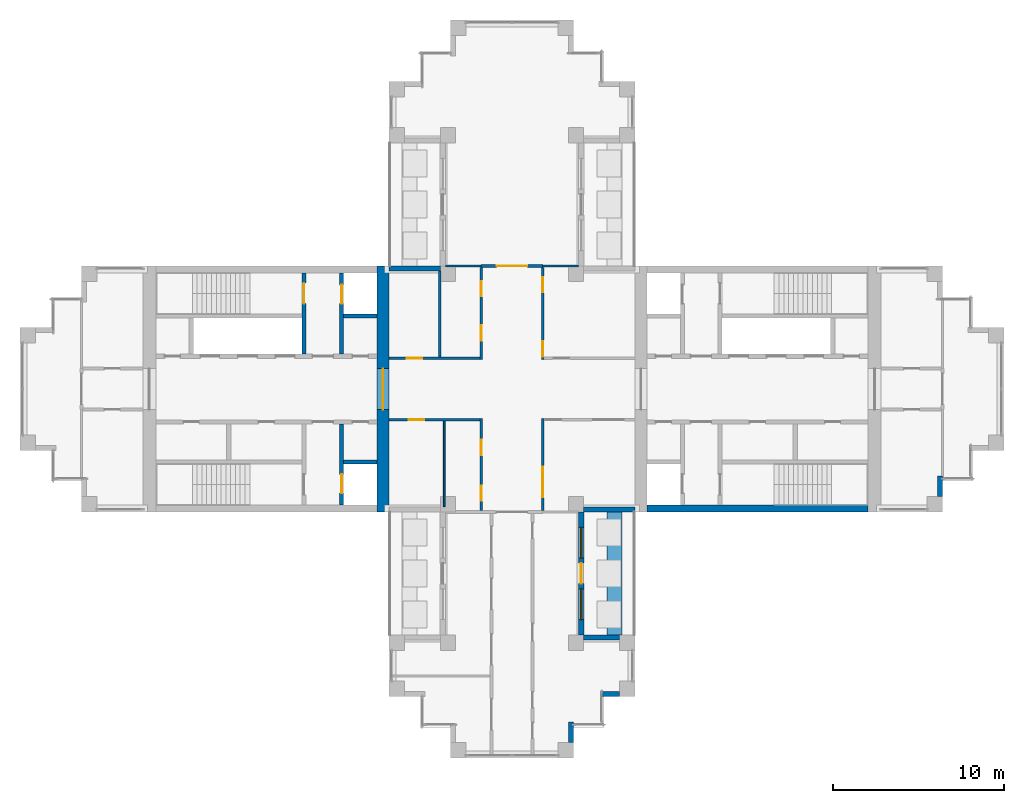
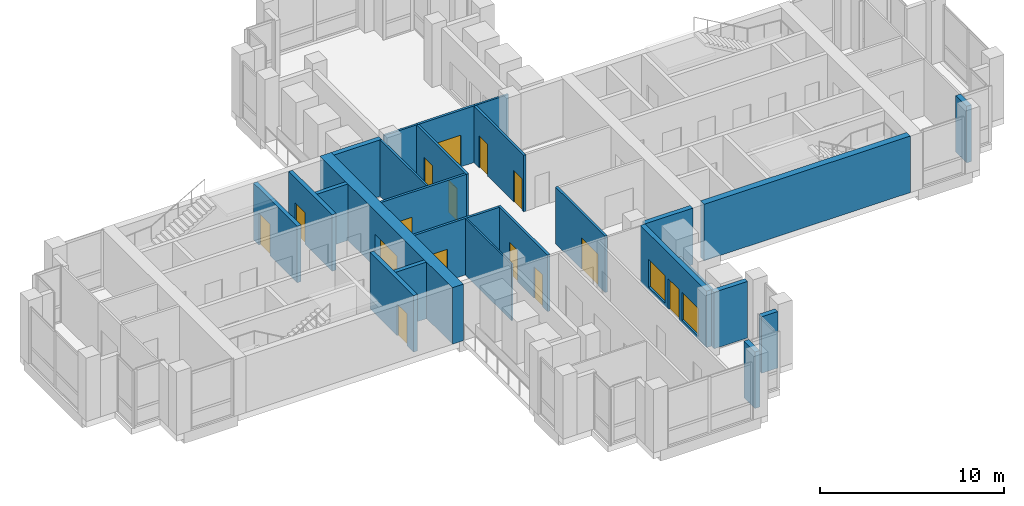
# One storey, part 9 of 13: 26 walls, 15 doors, 2 windows, 17 openings.
"""IFC4 building model written with IfcOpenShell, lengths in metres."""

from ifc_helpers import new_model, si_unit, direction, frame, frame_2d, origin, place, context, subcontext, project, spatial, rectangle, extrude, material, layer, layer_set, type_object, element, fill, save


model = new_model("IFC4")

# Units and contexts
model_context = context("Model", 3, precision=1e-05, world=origin(), true_north=direction((0.0, 1.0)))
body_context = subcontext(model_context, "Body", "Model", "MODEL_VIEW")
ifc_project = project(units=[si_unit("LENGTHUNIT", "METRE"), si_unit("AREAUNIT", "SQUARE_METRE"), si_unit("VOLUMEUNIT", "CUBIC_METRE"), si_unit("PLANEANGLEUNIT", "RADIAN"), si_unit("MASSUNIT", "GRAM", prefix="KILO")], contexts=[model_context])

# Site, building, storey
site_placement = place(None, origin())
site = spatial("IfcSite", under=ifc_project, at=site_placement, CompositionType="ELEMENT")
building_placement = place(site_placement, origin())
building = spatial("IfcBuilding", under=site, at=building_placement, Name="Fustian Cross Tower", CompositionType="ELEMENT")
storey_placement = place(building_placement, frame((0.0, 0.0, 237.89990234375)))
storey = spatial("IfcBuildingStorey", under=building, at=storey_placement, Name="L75", CompositionType="ELEMENT", Elevation=237.89990234375)

# Wall, opening, door
ifc_material_1 = material(Name="Plasterboard on steel stud", Category="steel")
ifc_layer_1 = layer(ifc_material_1, 0.14990234375)
ifc_layer_set_1 = layer_set([ifc_layer_1], Name="Plasterboard on steel stud")
wall_type_1 = type_object("IfcWallType", Name="COMPARTMENT WALL 150 EI 60", PredefinedType="PARTITIONING", material=ifc_layer_set_1)
wall_1_placement = place(storey_placement, frame((-7.199951171875, -1.800048828125, 0.0), z_axis=(0.0, 0.0, 1.0), x_axis=(1.0, 0.0, 0.0)))
wall_1 = element("IfcWall", 1, at=wall_1_placement, inside=storey, type_object=wall_type_1, Name="Partition 6", PredefinedType="PARTITIONING", context=body_context, shape_type="SweptSolid", body=[
    extrude(rectangle(XDim=5.324951171875, YDim=0.14990234375, at=frame_2d((2.66259765625, 0.0))), origin(), (0.0, 0.0, 1.0), 3.75),
])
opening_1_placement = place(wall_1_placement, frame((1.169921875, 0.0, 0.0)))
opening_1 = element("IfcOpeningElement", 2, at=opening_1_placement, cuts=wall_1, Name="Opening D34009", PredefinedType="OPENING", context=body_context, shape_type="SweptSolid", body=[
    extrude(rectangle(XDim=0.89990234375, YDim=2.10009765625, at=frame_2d((0.449951171875, 1.050048828125))), frame((0.0, 0.0849609375, 0.0), z_axis=(0.0, -1.0, 0.0), x_axis=(1.0, 0.0, 0.0)), (0.0, 0.0, 1.0), 0.169921875),
])
ifc_material_2 = material(Name="Timber fire door set", Category="wood")
door_type_1 = type_object("IfcDoorType", Name="FIRE SWING DOOR 900 FD30S", OperationType="SINGLE_SWING_LEFT", PredefinedType="DOOR", material=ifc_material_2)
door_1_placement = place(opening_1_placement, frame((0.89990234375, 0.0, 0.0), z_axis=(0.0, 0.0, 1.0), x_axis=(-1.0, 0.0, 0.0)))
door_1 = element("IfcDoor", 3, at=door_1_placement, inside=storey, type_object=door_type_1, Name="Door D34009", OperationType="SINGLE_SWING_RIGHT", OverallHeight=2.10009765625, OverallWidth=0.89990234375, PredefinedType="DOOR", context=body_context, shape_type="SweptSolid", body=[
    extrude(rectangle(XDim=0.89990234375, YDim=2.10009765625, at=frame_2d((0.449951171875, 1.050048828125))), frame((0.0, 0.02490234375, 0.0), z_axis=(0.0, -1.0, 0.0), x_axis=(1.0, 0.0, 0.0)), (0.0, 0.0, 1.0), 0.050048828125),
])
fill(opening_1, door_1)

wall_2_placement = place(storey_placement, frame((-7.199951171875, 1.800048828125, 0.0), z_axis=(0.0, 0.0, 1.0), x_axis=(1.0, 0.0, 0.0)))
wall_2 = element("IfcWall", 4, at=wall_2_placement, inside=storey, type_object=wall_type_1, Name="Partition 7", PredefinedType="PARTITIONING", context=body_context, shape_type="SweptSolid", body=[
    extrude(rectangle(XDim=5.324951171875, YDim=0.14990234375, at=frame_2d((2.66259765625, 0.0))), origin(), (0.0, 0.0, 1.0), 3.75),
])
opening_2_placement = place(wall_2_placement, frame((1.034912109375, 0.0, 0.0)))
opening_2 = element("IfcOpeningElement", 5, at=opening_2_placement, cuts=wall_2, Name="Opening D34006", PredefinedType="OPENING", context=body_context, shape_type="SweptSolid", body=[
    extrude(rectangle(XDim=0.89990234375, YDim=2.10009765625, at=frame_2d((0.449951171875, 1.050048828125))), frame((0.0, 0.0849609375, 0.0), z_axis=(0.0, -1.0, 0.0), x_axis=(1.0, 0.0, 0.0)), (0.0, 0.0, 1.0), 0.169921875),
])
door_2_placement = place(opening_2_placement, origin())
door_2 = element("IfcDoor", 6, at=door_2_placement, inside=storey, type_object=door_type_1, Name="Door D34006", OperationType="SINGLE_SWING_RIGHT", OverallHeight=2.10009765625, OverallWidth=0.89990234375, PredefinedType="DOOR", context=body_context, shape_type="SweptSolid", body=[
    extrude(rectangle(XDim=0.89990234375, YDim=2.10009765625, at=frame_2d((0.449951171875, 1.050048828125))), frame((0.0, 0.02490234375, 0.0), z_axis=(0.0, -1.0, 0.0), x_axis=(1.0, 0.0, 0.0)), (0.0, 0.0, 1.0), 0.050048828125),
])
fill(opening_2, door_2)

# Wall, openings, doors
wall_3_placement = place(storey_placement, frame((-1.800048828125, -7.125, 0.0), z_axis=(0.0, 0.0, 1.0), x_axis=(0.0, 1.0, 0.0)))
wall_3 = element("IfcWall", 7, at=wall_3_placement, inside=storey, type_object=wall_type_1, Name="Partition 13", PredefinedType="PARTITIONING", context=body_context, shape_type="SweptSolid", body=[
    extrude(rectangle(XDim=5.39990234375, YDim=0.14990234375, at=frame_2d((2.699951171875, 0.0))), origin(), (0.0, 0.0, 1.0), 3.75),
])
opening_3_placement = place(wall_3_placement, frame((0.574951171875, 0.0, 0.0)))
opening_3 = element("IfcOpeningElement", 8, at=opening_3_placement, cuts=wall_3, Name="Opening D34007", PredefinedType="OPENING", context=body_context, shape_type="SweptSolid", body=[
    extrude(rectangle(XDim=0.89990234375, YDim=2.10009765625, at=frame_2d((0.449951171875, 1.050048828125))), frame((0.0, 0.0849609375, 0.0), z_axis=(0.0, -1.0, 0.0), x_axis=(1.0, 0.0, 0.0)), (0.0, 0.0, 1.0), 0.169921875),
])
opening_4_placement = place(wall_3_placement, frame((3.2548828125, 0.0, 0.0)))
opening_4 = element("IfcOpeningElement", 9, at=opening_4_placement, cuts=wall_3, Name="Opening D34008", PredefinedType="OPENING", context=body_context, shape_type="SweptSolid", body=[
    extrude(rectangle(XDim=0.89990234375, YDim=2.10009765625, at=frame_2d((0.449951171875, 1.050048828125))), frame((0.0, 0.0849609375, 0.0), z_axis=(0.0, -1.0, 0.0), x_axis=(1.0, 0.0, 0.0)), (0.0, 0.0, 1.0), 0.169921875),
])
door_3_placement = place(opening_3_placement, origin())
door_3 = element("IfcDoor", 10, at=door_3_placement, inside=storey, type_object=door_type_1, Name="Door D34007", OperationType="SINGLE_SWING_LEFT", OverallHeight=2.10009765625, OverallWidth=0.89990234375, PredefinedType="DOOR", context=body_context, shape_type="SweptSolid", body=[
    extrude(rectangle(XDim=0.89990234375, YDim=2.10009765625, at=frame_2d((0.449951171875, 1.050048828125))), frame((0.0, 0.02490234375, 0.0), z_axis=(0.0, -1.0, 0.0), x_axis=(1.0, 0.0, 0.0)), (0.0, 0.0, 1.0), 0.050048828125),
])
fill(opening_3, door_3)
door_4_placement = place(opening_4_placement, origin())
door_4 = element("IfcDoor", 11, at=door_4_placement, inside=storey, type_object=door_type_1, Name="Door D34008", OperationType="SINGLE_SWING_RIGHT", OverallHeight=2.10009765625, OverallWidth=0.89990234375, PredefinedType="DOOR", context=body_context, shape_type="SweptSolid", body=[
    extrude(rectangle(XDim=0.89990234375, YDim=2.10009765625, at=frame_2d((0.449951171875, 1.050048828125))), frame((0.0, 0.02490234375, 0.0), z_axis=(0.0, -1.0, 0.0), x_axis=(1.0, 0.0, 0.0)), (0.0, 0.0, 1.0), 0.050048828125),
])
fill(opening_4, door_4)

wall_4_placement = place(storey_placement, frame((-1.800048828125, 1.72509765625, 0.0), z_axis=(0.0, 0.0, 1.0), x_axis=(0.0, 1.0, 0.0)))
wall_4 = element("IfcWall", 12, at=wall_4_placement, inside=storey, type_object=wall_type_1, Name="Partition 14", PredefinedType="PARTITIONING", context=body_context, shape_type="SweptSolid", body=[
    extrude(rectangle(XDim=5.39990234375, YDim=0.14990234375, at=frame_2d((2.699951171875, 0.0))), origin(), (0.0, 0.0, 1.0), 3.75),
])
opening_5_placement = place(wall_4_placement, frame((1.110107421875, 0.0, 0.0)))
opening_5 = element("IfcOpeningElement", 13, at=opening_5_placement, cuts=wall_4, Name="Opening D34004", PredefinedType="OPENING", context=body_context, shape_type="SweptSolid", body=[
    extrude(rectangle(XDim=0.89990234375, YDim=2.10009765625, at=frame_2d((0.449951171875, 1.050048828125))), frame((0.0, 0.0849609375, 0.0), z_axis=(0.0, -1.0, 0.0), x_axis=(1.0, 0.0, 0.0)), (0.0, 0.0, 1.0), 0.169921875),
])
opening_6_placement = place(wall_4_placement, frame((3.695068359375, 0.0, 0.0)))
opening_6 = element("IfcOpeningElement", 14, at=opening_6_placement, cuts=wall_4, Name="Opening D34005", PredefinedType="OPENING", context=body_context, shape_type="SweptSolid", body=[
    extrude(rectangle(XDim=0.89990234375, YDim=2.10009765625, at=frame_2d((0.449951171875, 1.050048828125))), frame((0.0, 0.0849609375, 0.0), z_axis=(0.0, -1.0, 0.0), x_axis=(1.0, 0.0, 0.0)), (0.0, 0.0, 1.0), 0.169921875),
])
door_5_placement = place(opening_5_placement, origin())
door_5 = element("IfcDoor", 15, at=door_5_placement, inside=storey, type_object=door_type_1, Name="Door D34004", OperationType="SINGLE_SWING_LEFT", OverallHeight=2.10009765625, OverallWidth=0.89990234375, PredefinedType="DOOR", context=body_context, shape_type="SweptSolid", body=[
    extrude(rectangle(XDim=0.89990234375, YDim=2.10009765625, at=frame_2d((0.449951171875, 1.050048828125))), frame((0.0, 0.02490234375, 0.0), z_axis=(0.0, -1.0, 0.0), x_axis=(1.0, 0.0, 0.0)), (0.0, 0.0, 1.0), 0.050048828125),
])
fill(opening_5, door_5)
door_6_placement = place(opening_6_placement, origin())
door_6 = element("IfcDoor", 16, at=door_6_placement, inside=storey, type_object=door_type_1, Name="Door D34005", OperationType="SINGLE_SWING_RIGHT", OverallHeight=2.10009765625, OverallWidth=0.89990234375, PredefinedType="DOOR", context=body_context, shape_type="SweptSolid", body=[
    extrude(rectangle(XDim=0.89990234375, YDim=2.10009765625, at=frame_2d((0.449951171875, 1.050048828125))), frame((0.0, 0.02490234375, 0.0), z_axis=(0.0, -1.0, 0.0), x_axis=(1.0, 0.0, 0.0)), (0.0, 0.0, 1.0), 0.050048828125),
])
fill(opening_6, door_6)

# Wall, opening, door
wall_5_placement = place(storey_placement, frame((-1.800048828125, 7.199951171875, 0.0), z_axis=(0.0, 0.0, 1.0), x_axis=(1.0, 0.0, 0.0)))
wall_5 = element("IfcWall", 17, at=wall_5_placement, inside=storey, type_object=wall_type_1, Name="Partition 15", PredefinedType="PARTITIONING", context=body_context, shape_type="SweptSolid", body=[
    extrude(rectangle(XDim=3.60009765625, YDim=0.14990234375, at=frame_2d((1.800048828125, 0.0))), origin(), (0.0, 0.0, 1.0), 3.75),
])
opening_7_placement = place(wall_5_placement, frame((0.89990234375, 0.0, 0.0)))
opening_7 = element("IfcOpeningElement", 18, at=opening_7_placement, cuts=wall_5, Name="Opening D34013", PredefinedType="OPENING", context=body_context, shape_type="SweptSolid", body=[
    extrude(rectangle(XDim=1.800048828125, YDim=2.10009765625, at=frame_2d((0.89990234375, 1.050048828125))), frame((0.0, 0.0849609375, 0.0), z_axis=(0.0, -1.0, 0.0), x_axis=(1.0, 0.0, 0.0)), (0.0, 0.0, 1.0), 0.169921875),
])
ifc_material_3 = material(Name="Timber fire door set", Category="wood")
door_type_2 = type_object("IfcDoorType", Name="FIRE DOUBLE DOOR 1800 FD30S", OperationType="DOUBLE_DOOR_DOUBLE_SWING", PredefinedType="DOOR", material=ifc_material_3)
door_7_placement = place(opening_7_placement, frame((1.800048828125, 0.0, 0.0), z_axis=(0.0, 0.0, 1.0), x_axis=(-1.0, 0.0, 0.0)))
door_7 = element("IfcDoor", 19, at=door_7_placement, inside=storey, type_object=door_type_2, Name="Door D34013", OperationType="DOUBLE_DOOR_DOUBLE_SWING", OverallHeight=2.10009765625, OverallWidth=1.800048828125, PredefinedType="DOOR", context=body_context, shape_type="SweptSolid", body=[
    extrude(rectangle(XDim=1.800048828125, YDim=2.10009765625, at=frame_2d((0.89990234375, 1.050048828125))), frame((0.0, 0.02490234375, 0.0), z_axis=(0.0, -1.0, 0.0), x_axis=(1.0, 0.0, 0.0)), (0.0, 0.0, 1.0), 0.050048828125),
])
fill(opening_7, door_7)

wall_6_placement = place(storey_placement, frame((1.800048828125, -7.125, 0.0), z_axis=(0.0, 0.0, 1.0), x_axis=(0.0, 1.0, 0.0)))
wall_6 = element("IfcWall", 20, at=wall_6_placement, inside=storey, type_object=wall_type_1, Name="Partition 18", PredefinedType="PARTITIONING", context=body_context, shape_type="SweptSolid", body=[
    extrude(rectangle(XDim=5.39990234375, YDim=0.14990234375, at=frame_2d((2.699951171875, 0.0))), origin(), (0.0, 0.0, 1.0), 3.75),
])
opening_8_placement = place(wall_6_placement, frame((0.77490234375, 0.0, 0.0)))
opening_8 = element("IfcOpeningElement", 21, at=opening_8_placement, cuts=wall_6, Name="Opening D34010", PredefinedType="OPENING", context=body_context, shape_type="SweptSolid", body=[
    extrude(rectangle(XDim=1.800048828125, YDim=2.10009765625, at=frame_2d((0.89990234375, 1.050048828125))), frame((0.0, 0.0849609375, 0.0), z_axis=(0.0, -1.0, 0.0), x_axis=(1.0, 0.0, 0.0)), (0.0, 0.0, 1.0), 0.169921875),
])
door_8_placement = place(opening_8_placement, origin())
door_8 = element("IfcDoor", 22, at=door_8_placement, inside=storey, type_object=door_type_2, Name="Door D34010", OperationType="DOUBLE_DOOR_DOUBLE_SWING", OverallHeight=2.10009765625, OverallWidth=1.800048828125, PredefinedType="DOOR", context=body_context, shape_type="SweptSolid", body=[
    extrude(rectangle(XDim=1.800048828125, YDim=2.10009765625, at=frame_2d((0.89990234375, 1.050048828125))), frame((0.0, 0.02490234375, 0.0), z_axis=(0.0, -1.0, 0.0), x_axis=(1.0, 0.0, 0.0)), (0.0, 0.0, 1.0), 0.050048828125),
])
fill(opening_8, door_8)

# Wall, openings, doors
wall_7_placement = place(storey_placement, frame((1.800048828125, 1.72509765625, 0.0), z_axis=(0.0, 0.0, 1.0), x_axis=(0.0, 1.0, 0.0)))
wall_7 = element("IfcWall", 23, at=wall_7_placement, inside=storey, type_object=wall_type_1, Name="Partition 21", PredefinedType="PARTITIONING", context=body_context, shape_type="SweptSolid", body=[
    extrude(rectangle(XDim=5.39990234375, YDim=0.14990234375, at=frame_2d((2.699951171875, 0.0))), origin(), (0.0, 0.0, 1.0), 3.75),
])
opening_9_placement = place(wall_7_placement, frame((0.175048828125, 0.0, 0.0)))
opening_9 = element("IfcOpeningElement", 24, at=opening_9_placement, cuts=wall_7, Name="Opening D34001", PredefinedType="OPENING", context=body_context, shape_type="SweptSolid", body=[
    extrude(rectangle(XDim=0.89990234375, YDim=2.10009765625, at=frame_2d((0.449951171875, 1.050048828125))), frame((0.0, 0.0849609375, 0.0), z_axis=(0.0, -1.0, 0.0), x_axis=(1.0, 0.0, 0.0)), (0.0, 0.0, 1.0), 0.169921875),
])
opening_10_placement = place(wall_7_placement, frame((3.925048828125, 0.0, 0.0)))
opening_10 = element("IfcOpeningElement", 25, at=opening_10_placement, cuts=wall_7, Name="Opening D34002", PredefinedType="OPENING", context=body_context, shape_type="SweptSolid", body=[
    extrude(rectangle(XDim=0.89990234375, YDim=2.10009765625, at=frame_2d((0.449951171875, 1.050048828125))), frame((0.0, 0.0849609375, 0.0), z_axis=(0.0, -1.0, 0.0), x_axis=(1.0, 0.0, 0.0)), (0.0, 0.0, 1.0), 0.169921875),
])
door_9_placement = place(opening_9_placement, frame((0.89990234375, 0.0, 0.0), z_axis=(0.0, 0.0, 1.0), x_axis=(-1.0, 0.0, 0.0)))
door_9 = element("IfcDoor", 26, at=door_9_placement, inside=storey, type_object=door_type_1, Name="Door D34001", OperationType="SINGLE_SWING_RIGHT", OverallHeight=2.10009765625, OverallWidth=0.89990234375, PredefinedType="DOOR", context=body_context, shape_type="SweptSolid", body=[
    extrude(rectangle(XDim=0.89990234375, YDim=2.10009765625, at=frame_2d((0.449951171875, 1.050048828125))), frame((0.0, 0.02490234375, 0.0), z_axis=(0.0, -1.0, 0.0), x_axis=(1.0, 0.0, 0.0)), (0.0, 0.0, 1.0), 0.050048828125),
])
fill(opening_9, door_9)
door_10_placement = place(opening_10_placement, frame((0.89990234375, 0.0, 0.0), z_axis=(0.0, 0.0, 1.0), x_axis=(-1.0, 0.0, 0.0)))
door_10 = element("IfcDoor", 27, at=door_10_placement, inside=storey, type_object=door_type_1, Name="Door D34002", OperationType="SINGLE_SWING_LEFT", OverallHeight=2.10009765625, OverallWidth=0.89990234375, PredefinedType="DOOR", context=body_context, shape_type="SweptSolid", body=[
    extrude(rectangle(XDim=0.89990234375, YDim=2.10009765625, at=frame_2d((0.449951171875, 1.050048828125))), frame((0.0, 0.02490234375, 0.0), z_axis=(0.0, -1.0, 0.0), x_axis=(1.0, 0.0, 0.0)), (0.0, 0.0, 1.0), 0.050048828125),
])
fill(opening_10, door_10)

# Wall, opening, door
ifc_material_4 = material(Name="Concrete C50/60", Category="concrete")
ifc_layer_2 = layer(ifc_material_4, 0.699951171875)
ifc_layer_set_2 = layer_set([ifc_layer_2], Name="Concrete C50/60")
wall_type_2 = type_object("IfcWallType", Name="CORE END WALL 700 C50/60", PredefinedType="SHEAR", material=ifc_layer_set_2)
wall_8_placement = place(storey_placement, frame((-7.550048828125, -7.199951171875, 0.0), z_axis=(0.0, 0.0, 1.0), x_axis=(0.0, 1.0, 0.0)))
wall_8 = element("IfcWall", 28, at=wall_8_placement, inside=storey, type_object=wall_type_2, Name="Core end wall", PredefinedType="SHEAR", context=body_context, shape_type="SweptSolid", body=[
    extrude(rectangle(XDim=14.39990234375, YDim=0.699951171875, at=frame_2d((7.199951171875, 0.0))), origin(), (0.0, 0.0, 1.0), 3.75),
])
opening_11_placement = place(wall_8_placement, frame((6.0, 0.0, 0.0)))
opening_11 = element("IfcOpeningElement", 29, at=opening_11_placement, cuts=wall_8, Name="Opening CD-30-28", PredefinedType="OPENING", context=body_context, shape_type="SweptSolid", body=[
    extrude(rectangle(XDim=2.39990234375, YDim=2.199951171875, at=frame_2d((1.199951171875, 1.10009765625))), frame((0.0, 0.35986328125, 0.0), z_axis=(0.0, -1.0, 0.0), x_axis=(1.0, 0.0, 0.0)), (0.0, 0.0, 1.0), 0.719970703125),
])
ifc_material_5 = material(Name="Steel", Category="steel")
door_type_3 = type_object("IfcDoorType", Name="FIRE DOOR FD30S DOUBLE 2400X2200", OperationType="DOUBLE_DOOR_DOUBLE_SWING", PredefinedType="DOOR", material=ifc_material_5)
door_11_placement = place(opening_11_placement, origin())
door_11 = element("IfcDoor", 30, at=door_11_placement, inside=storey, type_object=door_type_3, Name="Core door CD-30-28", OperationType="DOUBLE_DOOR_DOUBLE_SWING", OverallHeight=2.199951171875, OverallWidth=2.39990234375, PredefinedType="DOOR", context=body_context, shape_type="SweptSolid", body=[
    extrude(rectangle(XDim=2.39990234375, YDim=2.199951171875, at=frame_2d((1.199951171875, 1.10009765625))), frame((0.0, 0.02490234375, 0.0), z_axis=(0.0, -1.0, 0.0), x_axis=(1.0, 0.0, 0.0)), (0.0, 0.0, 1.0), 0.050048828125),
])
fill(opening_11, door_11)

# Walls
ifc_material_6 = material(Name="Concrete C50/60", Category="concrete")
ifc_layer_3 = layer(ifc_material_6, 0.39990234375)
ifc_layer_set_3 = layer_set([ifc_layer_3], Name="Concrete C50/60")
wall_type_3 = type_object("IfcWallType", Name="CORE FACADE WALL 400 C50/60", PredefinedType="SHEAR", material=ifc_layer_set_3)
wall_9_placement = place(storey_placement, frame((7.89990234375, -7.0, 0.0), z_axis=(0.0, 0.0, 1.0), x_axis=(1.0, 0.0, 0.0)))
element("IfcWall", 31, at=wall_9_placement, inside=storey, type_object=wall_type_3, Name="Core facade wall", PredefinedType="SHEAR", context=body_context, shape_type="SweptSolid", body=[
    extrude(rectangle(XDim=12.9501953125, YDim=0.39990234375, at=frame_2d((6.47509765625, 0.0))), origin(), (0.0, 0.0, 1.0), 3.75),
])
ifc_material_7 = material(Name="Concrete C50/60", Category="concrete")
ifc_layer_4 = layer(ifc_material_7, 0.25)
ifc_layer_set_4 = layer_set([ifc_layer_4], Name="Concrete C50/60")
wall_type_4 = type_object("IfcWallType", Name="CORE SHAFT WALL 250 C50/60", PredefinedType="SHEAR", material=ifc_layer_set_4)
wall_10_placement = place(storey_placement, frame((-7.89990234375, 4.27490234375, 0.0), z_axis=(0.0, 0.0, 1.0), x_axis=(-1.0, 0.0, 0.0)))
element("IfcWall", 32, at=wall_10_placement, inside=storey, type_object=wall_type_4, Name="Core shaft wall", PredefinedType="SHEAR", context=body_context, shape_type="SweptSolid", body=[
    extrude(rectangle(XDim=1.9501953125, YDim=0.25, at=frame_2d((0.97509765625, 0.0))), origin(), (0.0, 0.0, 1.0), 3.75),
])

# Wall, opening, door
wall_11_placement = place(storey_placement, frame((-9.97509765625, 2.050048828125, 0.0), z_axis=(0.0, 0.0, 1.0), x_axis=(0.0, 1.0, 0.0)))
wall_11 = element("IfcWall", 33, at=wall_11_placement, inside=storey, type_object=wall_type_4, Name="Core shaft wall", PredefinedType="SHEAR", context=body_context, shape_type="SweptSolid", body=[
    extrude(rectangle(XDim=4.75, YDim=0.25, at=frame_2d((2.375, 0.0))), origin(), (0.0, 0.0, 1.0), 3.75),
])
opening_12_placement = place(wall_11_placement, frame((2.949951171875, 0.0, 0.0)))
opening_12 = element("IfcOpeningElement", 34, at=opening_12_placement, cuts=wall_11, Name="Opening LD", PredefinedType="OPENING", context=body_context, shape_type="SweptSolid", body=[
    extrude(rectangle(XDim=1.10009765625, YDim=2.10009765625, at=frame_2d((0.550048828125, 1.050048828125))), frame((0.0, 0.135009765625, 0.0), z_axis=(0.0, -1.0, 0.0), x_axis=(1.0, 0.0, 0.0)), (0.0, 0.0, 1.0), 0.27001953125),
])
ifc_material_8 = material(Name="Stainless steel", Category="steel")
door_type_4 = type_object("IfcDoorType", Name="LIFT LANDING DOOR 1100X2100", OperationType="SLIDING_TO_LEFT", PredefinedType="DOOR", material=ifc_material_8)
door_12_placement = place(opening_12_placement, origin())
door_12 = element("IfcDoor", 35, at=door_12_placement, inside=storey, type_object=door_type_4, Name="Landing door FL1W", OperationType="SLIDING_TO_LEFT", OverallHeight=2.10009765625, OverallWidth=1.10009765625, PredefinedType="DOOR", context=body_context, shape_type="SweptSolid", body=[
    extrude(rectangle(XDim=1.10009765625, YDim=2.10009765625, at=frame_2d((0.550048828125, 1.050048828125))), frame((0.0, 0.02490234375, 0.0), z_axis=(0.0, -1.0, 0.0), x_axis=(1.0, 0.0, 0.0)), (0.0, 0.0, 1.0), 0.050048828125),
])
fill(opening_12, door_12)

wall_12_placement = place(storey_placement, frame((-12.175048828125, 2.050048828125, 0.0), z_axis=(0.0, 0.0, 1.0), x_axis=(0.0, 1.0, 0.0)))
wall_12 = element("IfcWall", 36, at=wall_12_placement, inside=storey, type_object=wall_type_4, Name="Core shaft wall", PredefinedType="SHEAR", context=body_context, shape_type="SweptSolid", body=[
    extrude(rectangle(XDim=4.75, YDim=0.25, at=frame_2d((2.375, 0.0))), origin(), (0.0, 0.0, 1.0), 3.75),
])
opening_13_placement = place(wall_12_placement, frame((2.949951171875, 0.0, 0.0)))
opening_13 = element("IfcOpeningElement", 37, at=opening_13_placement, cuts=wall_12, Name="Opening CD-30-22", PredefinedType="OPENING", context=body_context, shape_type="SweptSolid", body=[
    extrude(rectangle(XDim=1.199951171875, YDim=2.10009765625, at=frame_2d((0.60009765625, 1.050048828125))), frame((0.0, 0.135009765625, 0.0), z_axis=(0.0, -1.0, 0.0), x_axis=(1.0, 0.0, 0.0)), (0.0, 0.0, 1.0), 0.27001953125),
])
ifc_material_9 = material(Name="Steel", Category="steel")
door_type_5 = type_object("IfcDoorType", Name="FIRE DOOR FD60S 1200X2100", OperationType="SINGLE_SWING_LEFT", PredefinedType="DOOR", material=ifc_material_9)
door_13_placement = place(opening_13_placement, origin())
door_13 = element("IfcDoor", 38, at=door_13_placement, inside=storey, type_object=door_type_5, Name="Core door CD-30-22", OperationType="SINGLE_SWING_LEFT", OverallHeight=2.10009765625, OverallWidth=1.199951171875, PredefinedType="DOOR", context=body_context, shape_type="SweptSolid", body=[
    extrude(rectangle(XDim=1.199951171875, YDim=2.10009765625, at=frame_2d((0.60009765625, 1.050048828125))), frame((0.0, 0.02490234375, 0.0), z_axis=(0.0, -1.0, 0.0), x_axis=(1.0, 0.0, 0.0)), (0.0, 0.0, 1.0), 0.050048828125),
])
fill(opening_13, door_13)

# Wall
wall_13_placement = place(storey_placement, frame((-7.89990234375, -4.27490234375, 0.0), z_axis=(0.0, 0.0, 1.0), x_axis=(-1.0, 0.0, 0.0)))
element("IfcWall", 39, at=wall_13_placement, inside=storey, type_object=wall_type_4, Name="Core shaft wall", PredefinedType="SHEAR", context=body_context, shape_type="SweptSolid", body=[
    extrude(rectangle(XDim=1.9501953125, YDim=0.25, at=frame_2d((0.97509765625, 0.0))), origin(), (0.0, 0.0, 1.0), 3.75),
])

# Wall, opening, door
wall_14_placement = place(storey_placement, frame((-9.97509765625, -2.050048828125, 0.0), z_axis=(0.0, 0.0, 1.0), x_axis=(0.0, -1.0, 0.0)))
wall_14 = element("IfcWall", 40, at=wall_14_placement, inside=storey, type_object=wall_type_4, Name="Core shaft wall", PredefinedType="SHEAR", context=body_context, shape_type="SweptSolid", body=[
    extrude(rectangle(XDim=4.75, YDim=0.25, at=frame_2d((2.375, 0.0))), origin(), (0.0, 0.0, 1.0), 3.75),
])
opening_14_placement = place(wall_14_placement, frame((2.949951171875, 0.0, 0.0)))
opening_14 = element("IfcOpeningElement", 41, at=opening_14_placement, cuts=wall_14, Name="Opening LD", PredefinedType="OPENING", context=body_context, shape_type="SweptSolid", body=[
    extrude(rectangle(XDim=1.10009765625, YDim=2.10009765625, at=frame_2d((0.550048828125, 1.050048828125))), frame((0.0, 0.135009765625, 0.0), z_axis=(0.0, -1.0, 0.0), x_axis=(1.0, 0.0, 0.0)), (0.0, 0.0, 1.0), 0.27001953125),
])
door_14_placement = place(opening_14_placement, origin())
door_14 = element("IfcDoor", 42, at=door_14_placement, inside=storey, type_object=door_type_4, Name="Landing door SV1W", OperationType="SLIDING_TO_LEFT", OverallHeight=2.10009765625, OverallWidth=1.10009765625, PredefinedType="DOOR", context=body_context, shape_type="SweptSolid", body=[
    extrude(rectangle(XDim=1.10009765625, YDim=2.10009765625, at=frame_2d((0.550048828125, 1.050048828125))), frame((0.0, 0.02490234375, 0.0), z_axis=(0.0, -1.0, 0.0), x_axis=(1.0, 0.0, 0.0)), (0.0, 0.0, 1.0), 0.050048828125),
])
fill(opening_14, door_14)

# Walls
ifc_material_10 = material(Name="Plasterboard on steel stud", Category="steel")
ifc_layer_5 = layer(ifc_material_10, 0.10009765625)
ifc_layer_set_5 = layer_set([ifc_layer_5], Name="Plasterboard on steel stud")
wall_type_5 = type_object("IfcWallType", Name="PARTITION 100 STUD", PredefinedType="PARTITIONING", material=ifc_layer_set_5)
wall_15_placement = place(storey_placement, frame((-3.9599609375, -6.89990234375, 0.0), z_axis=(0.0, 0.0, 1.0), x_axis=(0.0, 1.0, 0.0)))
element("IfcWall", 43, at=wall_15_placement, inside=storey, type_object=wall_type_5, Name="Partition 10", PredefinedType="PARTITIONING", context=body_context, shape_type="SweptSolid", body=[
    extrude(rectangle(XDim=5.02490234375, YDim=0.10009765625, at=frame_2d((2.512451171875, 0.0))), origin(), (0.0, 0.0, 1.0), 3.75),
])
ifc_material_11 = material(Name="Concrete C40/50", Category="concrete")
ifc_layer_6 = layer(ifc_material_11, 0.89990234375)
ifc_layer_set_6 = layer_set([ifc_layer_6], Name="Concrete C40/50")
wall_type_6 = type_object("IfcWallType", Name="PK1 PLANTER 900", PredefinedType="PARAPET", material=ifc_layer_set_6)
wall_16_placement = place(storey_placement, frame((6.0, -14.39990234375, 0.0), z_axis=(0.0, 0.0, 1.0), x_axis=(0.0, 1.0, 0.0)))
element("IfcWall", 44, at=wall_16_placement, inside=storey, type_object=wall_type_6, Name="PLANTER", PredefinedType="PARAPET", context=body_context, shape_type="SweptSolid", body=[
    extrude(rectangle(XDim=7.199951171875, YDim=0.89990234375, at=frame_2d((3.60009765625, 0.0))), origin(), (0.0, 0.0, 1.0), 0.800048828125),
])
ifc_material_12 = material(Name="Plasterboard on steel stud", Category="steel")
ifc_layer_7 = layer(ifc_material_12, 0.125)
ifc_layer_set_7 = layer_set([ifc_layer_7], Name="Plasterboard on steel stud")
wall_type_7 = type_object("IfcWallType", Name="WET WALL 125 STUD", PredefinedType="PARTITIONING", material=ifc_layer_set_7)
wall_17_placement = place(storey_placement, frame((-4.22998046875, 1.875, 0.0), z_axis=(0.0, 0.0, 1.0), x_axis=(0.0, 1.0, 0.0)))
element("IfcWall", 45, at=wall_17_placement, inside=storey, type_object=wall_type_7, Name="Partition 9", PredefinedType="PARTITIONING", context=body_context, shape_type="SweptSolid", body=[
    extrude(rectangle(XDim=5.02490234375, YDim=0.125, at=frame_2d((2.512451171875, 0.0))), origin(), (0.0, 0.0, 1.0), 3.75),
])
for number, where, z_axis, x_axis, name in (
    (46, (-3.89990234375, 7.199951171875, 0.0), (0.0, 0.0, 1.0), (1.0, 0.0, 0.0), "Partition 12"),
    (47, (1.800048828125, 7.199951171875, 0.0), (0.0, 0.0, 1.0), (1.0, 0.0, 0.0), "Partition 23"),
):
    element("IfcWall", number, at=place(storey_placement, frame(where, z_axis=z_axis, x_axis=x_axis)), inside=storey, type_object=wall_type_7, Name=name, PredefinedType="PARTITIONING", context=body_context, shape_type="SweptSolid", body=[
        extrude(rectangle(XDim=2.099853515625, YDim=0.125, at=frame_2d((1.0498046875, 0.0))), origin(), (0.0, 0.0, 1.0), 3.75),
    ])
ifc_material_13 = material(Name="Dark aluminium cladding on insulated backing wall", Category="aluminium")
ifc_layer_8 = layer(ifc_material_13, 0.300048828125)
ifc_layer_set_8 = layer_set([ifc_layer_8], Name="Dark aluminium cladding on insulated backing wall")
wall_type_8 = type_object("IfcWallType", Name="XW1 EXTERNAL WALL 300", PredefinedType="SOLIDWALL", material=ifc_layer_set_8)
wall_18_placement = place(storey_placement, frame((25.050048828125, -6.300048828125, 0.0), z_axis=(0.0, 0.0, 1.0), x_axis=(0.0, 1.0, 0.0)))
element("IfcWall", 48, at=wall_18_placement, inside=storey, type_object=wall_type_8, Name="External wall", PredefinedType="SOLIDWALL", context=body_context, shape_type="SweptSolid", body=[
    extrude(rectangle(XDim=1.199951171875, YDim=0.300048828125, at=frame_2d((0.60009765625, 0.0))), origin(), (0.0, 0.0, 1.0), 3.75),
])
wall_19_placement = place(storey_placement, frame((-4.199951171875, 7.050048828125, 0.0), z_axis=(0.0, 0.0, 1.0), x_axis=(-1.0, 0.0, 0.0)))
element("IfcWall", 49, at=wall_19_placement, inside=storey, type_object=wall_type_8, Name="External wall", PredefinedType="SOLIDWALL", context=body_context, shape_type="SweptSolid", body=[
    extrude(rectangle(XDim=3.0, YDim=0.300048828125, at=frame_2d((1.5, 0.0))), origin(), (0.0, 0.0, 1.0), 3.75),
])
wall_20_placement = place(storey_placement, frame((3.449951171875, -20.699951171875, 0.0), z_axis=(0.0, 0.0, 1.0), x_axis=(0.0, 1.0, 0.0)))
element("IfcWall", 50, at=wall_20_placement, inside=storey, type_object=wall_type_8, Name="External wall", PredefinedType="SOLIDWALL", context=body_context, shape_type="SweptSolid", body=[
    extrude(rectangle(XDim=1.199951171875, YDim=0.300048828125, at=frame_2d((0.60009765625, 0.0))), origin(), (0.0, 0.0, 1.0), 3.75),
])
wall_21_placement = place(storey_placement, frame((5.280029296875, -17.85009765625, 0.0), z_axis=(0.0, 0.0, 1.0), x_axis=(1.0, 0.0, 0.0)))
element("IfcWall", 51, at=wall_21_placement, inside=storey, type_object=wall_type_8, Name="External wall", PredefinedType="SOLIDWALL", context=body_context, shape_type="SweptSolid", body=[
    extrude(rectangle(XDim=1.02001953125, YDim=0.300048828125, at=frame_2d((0.510009765625, 0.0))), origin(), (0.0, 0.0, 1.0), 3.75),
])
wall_22_placement = place(storey_placement, frame((6.300048828125, -14.550048828125, 0.0), z_axis=(0.0, 0.0, 1.0), x_axis=(-1.0, 0.0, 0.0)))
element("IfcWall", 52, at=wall_22_placement, inside=storey, type_object=wall_type_8, Name="External wall", PredefinedType="SOLIDWALL", context=body_context, shape_type="SweptSolid", body=[
    extrude(rectangle(XDim=2.10009765625, YDim=0.300048828125, at=frame_2d((1.050048828125, 0.0))), origin(), (0.0, 0.0, 1.0), 3.75),
])

# Wall, openings, door, windows
wall_23_placement = place(storey_placement, frame((4.050048828125, -14.39990234375, 0.0), z_axis=(0.0, 0.0, 1.0), x_axis=(0.0, 1.0, 0.0)))
wall_23 = element("IfcWall", 53, at=wall_23_placement, inside=storey, type_object=wall_type_8, Name="External wall", PredefinedType="SOLIDWALL", context=body_context, shape_type="SweptSolid", body=[
    extrude(rectangle(XDim=7.199951171875, YDim=0.300048828125, at=frame_2d((3.60009765625, 0.0))), origin(), (0.0, 0.0, 1.0), 3.75),
])
opening_15_placement = place(wall_23_placement, frame((3.0, 0.0, 0.0)))
opening_15 = element("IfcOpeningElement", 54, at=opening_15_placement, cuts=wall_23, Name="Opening XD3", PredefinedType="OPENING", context=body_context, shape_type="SweptSolid", body=[
    extrude(rectangle(XDim=1.199951171875, YDim=2.050048828125, at=frame_2d((0.60009765625, 1.02490234375))), frame((0.0, 0.159912109375, 0.0), z_axis=(0.0, -1.0, 0.0), x_axis=(1.0, 0.0, 0.0)), (0.0, 0.0, 1.0), 0.320068359375),
])
opening_16_placement = place(wall_23_placement, frame((0.89990234375, 0.0, 0.199951171875)))
opening_16 = element("IfcOpeningElement", 55, at=opening_16_placement, cuts=wall_23, Name="Opening WN2", PredefinedType="OPENING", context=body_context, shape_type="SweptSolid", body=[
    extrude(rectangle(XDim=1.800048828125, YDim=1.85009765625, at=frame_2d((0.89990234375, 0.925048828125))), frame((0.0, 0.159912109375, 0.0), z_axis=(0.0, -1.0, 0.0), x_axis=(1.0, 0.0, 0.0)), (0.0, 0.0, 1.0), 0.320068359375),
])
opening_17_placement = place(wall_23_placement, frame((4.5, 0.0, 0.199951171875)))
opening_17 = element("IfcOpeningElement", 56, at=opening_17_placement, cuts=wall_23, Name="Opening WN2", PredefinedType="OPENING", context=body_context, shape_type="SweptSolid", body=[
    extrude(rectangle(XDim=1.800048828125, YDim=1.85009765625, at=frame_2d((0.89990234375, 0.925048828125))), frame((0.0, 0.159912109375, 0.0), z_axis=(0.0, -1.0, 0.0), x_axis=(1.0, 0.0, 0.0)), (0.0, 0.0, 1.0), 0.320068359375),
])
ifc_material_14 = material(Name="Dark anodised aluminium and double glazing", Category="aluminium")
door_type_6 = type_object("IfcDoorType", Name="ED1 BALCONY DOOR 1200X2050", OperationType="SINGLE_SWING_LEFT", PredefinedType="DOOR", material=ifc_material_14)
door_15_placement = place(opening_15_placement, origin())
door_15 = element("IfcDoor", 57, at=door_15_placement, inside=storey, type_object=door_type_6, Name="Balcony door", OperationType="SINGLE_SWING_LEFT", OverallHeight=2.050048828125, OverallWidth=1.199951171875, PredefinedType="DOOR", context=body_context, shape_type="SweptSolid", body=[
    extrude(rectangle(XDim=1.199951171875, YDim=2.050048828125, at=frame_2d((0.60009765625, 1.02490234375))), frame((0.0, 0.02490234375, 0.0), z_axis=(0.0, -1.0, 0.0), x_axis=(1.0, 0.0, 0.0)), (0.0, 0.0, 1.0), 0.050048828125),
])
fill(opening_15, door_15)
ifc_material_15 = material(Name="Dark anodised aluminium and double glazing", Category="aluminium")
window_type = type_object("IfcWindowType", Name="WN2 WINDOW 1800X1850", PartitioningType="SINGLE_PANEL", PredefinedType="WINDOW", material=ifc_material_15)
window_1_placement = place(opening_16_placement, origin())
window_1 = element("IfcWindow", 58, at=window_1_placement, inside=storey, type_object=window_type, Name="Window", OverallHeight=1.85009765625, OverallWidth=1.800048828125, PartitioningType="SINGLE_PANEL", PredefinedType="WINDOW", context=body_context, shape_type="SweptSolid", body=[
    extrude(rectangle(XDim=1.800048828125, YDim=1.85009765625, at=frame_2d((0.89990234375, 0.925048828125))), frame((0.0, 0.030029296875, 0.0), z_axis=(0.0, -1.0, 0.0), x_axis=(1.0, 0.0, 0.0)), (0.0, 0.0, 1.0), 0.06005859375),
])
fill(opening_16, window_1)
window_2_placement = place(opening_17_placement, origin())
window_2 = element("IfcWindow", 59, at=window_2_placement, inside=storey, type_object=window_type, Name="Window", OverallHeight=1.85009765625, OverallWidth=1.800048828125, PartitioningType="SINGLE_PANEL", PredefinedType="WINDOW", context=body_context, shape_type="SweptSolid", body=[
    extrude(rectangle(XDim=1.800048828125, YDim=1.85009765625, at=frame_2d((0.89990234375, 0.925048828125))), frame((0.0, 0.030029296875, 0.0), z_axis=(0.0, -1.0, 0.0), x_axis=(1.0, 0.0, 0.0)), (0.0, 0.0, 1.0), 0.06005859375),
])
fill(opening_17, window_2)

# Wall
wall_24_placement = place(storey_placement, frame((4.199951171875, -7.050048828125, 0.0), z_axis=(0.0, 0.0, 1.0), x_axis=(1.0, 0.0, 0.0)))
element("IfcWall", 60, at=wall_24_placement, inside=storey, type_object=wall_type_8, Name="External wall", PredefinedType="SOLIDWALL", context=body_context, shape_type="SweptSolid", body=[
    extrude(rectangle(XDim=3.0, YDim=0.300048828125, at=frame_2d((1.5, 0.0))), origin(), (0.0, 0.0, 1.0), 3.75),
])

save(model, "model.ifc")
